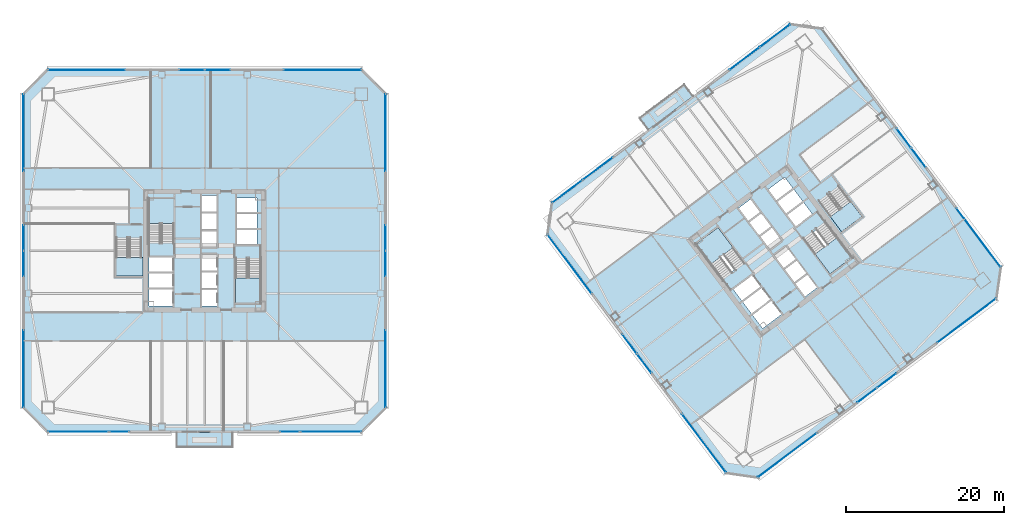
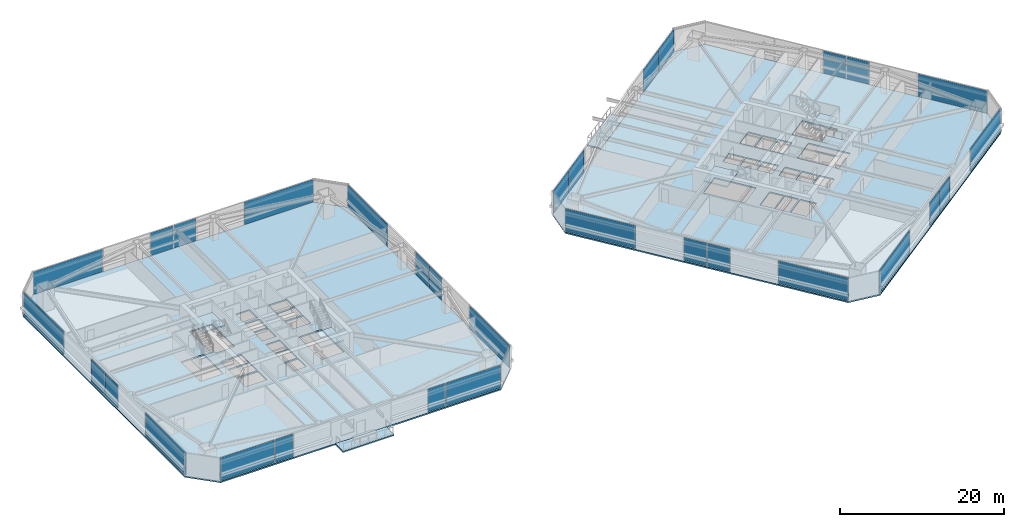
# One storey, part 31 of 45: 31 plates, 10 slabs, 29 elements without a shape of their own.
"""IFC4 building model written with IfcOpenShell, lengths in metres."""

from ifc_helpers import new_model, si_unit, direction, frame, origin, origin_2d, place, context, subcontext, project, spatial, polyline, rectangle, outline, extrude, material, layer, layer_set, type_object, element, aggregate, save


model = new_model("IFC4")

# Units and contexts
model_context = context("Model", 3, precision=1e-05, world=origin(), true_north=direction((0.0, 1.0)))
body_context = subcontext(model_context, "Body", "Model", "MODEL_VIEW")
ifc_project = project(units=[si_unit("LENGTHUNIT", "METRE"), si_unit("AREAUNIT", "SQUARE_METRE"), si_unit("VOLUMEUNIT", "CUBIC_METRE"), si_unit("PLANEANGLEUNIT", "RADIAN"), si_unit("MASSUNIT", "GRAM", prefix="KILO")], contexts=[model_context])

# Site, building, storey
site_placement = place(None, origin())
site = spatial("IfcSite", under=ifc_project, at=site_placement, CompositionType="ELEMENT")
building_placement = place(site_placement, origin())
building = spatial("IfcBuilding", under=site, at=building_placement, Name="Tashvorn Skyway Center", CompositionType="ELEMENT")
storey_placement = place(building_placement, frame((0.0, 0.0, 35.25)))
storey = spatial("IfcBuildingStorey", under=building, at=storey_placement, Name="L08", CompositionType="ELEMENT", Elevation=35.25)

# Curtain wall, plate
ifc_material_1 = material(Name="Thermally broken bronze-anodized aluminium 6063-T6", Category="aluminium")
curtain_wall_type = type_object("IfcCurtainWallType", Name="CW-CW-Z1", PredefinedType="NOTDEFINED", material=ifc_material_1)
curtain_wall_1_placement = place(storey_placement, origin())
curtain_wall_1 = element("IfcCurtainWall", 1, at=curtain_wall_1_placement, inside=storey, type_object=curtain_wall_type, Name="Tower 1 L08 South Curtain Wall L Glazing Group 1", PredefinedType="NOTDEFINED")
ifc_material_2 = material(Name="Low-E solar-control double insulating safety glass", Category="glass")
ifc_layer_1 = layer(ifc_material_2, 0.048095703125)
ifc_layer_set_1 = layer_set([ifc_layer_1], Name="Low-E solar-control double insulating safety glass")
plate_type = type_object("IfcPlateType", Name="CWP-CW-Z1", PredefinedType="CURTAIN_PANEL", material=ifc_layer_set_1)
plate_1_placement = place(storey_placement, frame((57.972412109375, 9.1201171875, 0.0849609375), z_axis=(0.0, 0.0, 1.0), x_axis=(-1.0, 0.0, 0.0)))
plate_1 = element("IfcPlate", 2, at=plate_1_placement, type_object=plate_type, Name="CW-Z1 panel 1.1", PredefinedType="CURTAIN_PANEL", context=body_context, shape_type="SweptSolid", body=[
    extrude(rectangle(XDim=7.64501953125, YDim=0.048095703125, at=origin_2d()), origin(), (0.0, 0.0, 1.0), 3.3798828125),
])
aggregate(curtain_wall_1, [plate_1])

curtain_wall_2_placement = place(storey_placement, origin())
curtain_wall_2 = element("IfcCurtainWall", 3, at=curtain_wall_2_placement, inside=storey, type_object=curtain_wall_type, Name="Tower 1 L08 South Curtain Wall L Glazing Group 2", PredefinedType="NOTDEFINED")
plate_2_placement = place(storey_placement, frame((52.762451171875, 9.1201171875, 0.0849609375), z_axis=(0.0, 0.0, 1.0), x_axis=(-1.0, 0.0, 0.0)))
plate_2 = element("IfcPlate", 4, at=plate_2_placement, type_object=plate_type, Name="CW-Z1 panel 1.1", PredefinedType="CURTAIN_PANEL", context=body_context, shape_type="SweptSolid", body=[
    extrude(rectangle(XDim=2.43505859375, YDim=0.048095703125, at=origin_2d()), origin(), (0.0, 0.0, 1.0), 3.3798828125),
])
aggregate(curtain_wall_2, [plate_2])

curtain_wall_3_placement = place(storey_placement, origin())
curtain_wall_3 = element("IfcCurtainWall", 5, at=curtain_wall_3_placement, inside=storey, type_object=curtain_wall_type, Name="Tower 1 L08 South Curtain Wall R Glazing Group 1", PredefinedType="NOTDEFINED")
plate_3_placement = place(storey_placement, frame((31.237548828125, 9.1201171875, 0.0849609375), z_axis=(0.0, 0.0, 1.0), x_axis=(-1.0, 0.0, 0.0)))
plate_3 = element("IfcPlate", 6, at=plate_3_placement, type_object=plate_type, Name="CW-Z1 panel 1.1", PredefinedType="CURTAIN_PANEL", context=body_context, shape_type="SweptSolid", body=[
    extrude(rectangle(XDim=2.43505859375, YDim=0.048095703125, at=origin_2d()), origin(), (0.0, 0.0, 1.0), 3.3798828125),
])
aggregate(curtain_wall_3, [plate_3])

curtain_wall_4_placement = place(storey_placement, origin())
curtain_wall_4 = element("IfcCurtainWall", 7, at=curtain_wall_4_placement, inside=storey, type_object=curtain_wall_type, Name="Tower 1 L08 South Curtain Wall R Glazing Group 2", PredefinedType="NOTDEFINED")
plate_4_placement = place(storey_placement, frame((26.027587890625, 9.1201171875, 0.0849609375), z_axis=(0.0, 0.0, 1.0), x_axis=(-1.0, 0.0, 0.0)))
plate_4 = element("IfcPlate", 8, at=plate_4_placement, type_object=plate_type, Name="CW-Z1 panel 1.1", PredefinedType="CURTAIN_PANEL", context=body_context, shape_type="SweptSolid", body=[
    extrude(rectangle(XDim=7.64501953125, YDim=0.048095703125, at=origin_2d()), origin(), (0.0, 0.0, 1.0), 3.3798828125),
])
aggregate(curtain_wall_4, [plate_4])

curtain_wall_5_placement = place(storey_placement, origin())
curtain_wall_5 = element("IfcCurtainWall", 9, at=curtain_wall_5_placement, inside=storey, type_object=curtain_wall_type, Name="Tower 1 L08 West Unitised Curtain Wall Glazing Group 1", PredefinedType="NOTDEFINED")
plate_5_placement = place(storey_placement, frame((19.1201171875, 17.090087890625, 0.0849609375), z_axis=(0.0, 0.0, 1.0), x_axis=(0.0, 1.0, 0.0)))
plate_5 = element("IfcPlate", 10, at=plate_5_placement, type_object=plate_type, Name="CW-Z1 panel 1.1", PredefinedType="CURTAIN_PANEL", context=body_context, shape_type="SweptSolid", body=[
    extrude(rectangle(XDim=9.77001953125, YDim=0.048095703125, at=origin_2d()), origin(), (0.0, 0.0, 1.0), 3.3798828125),
])
aggregate(curtain_wall_5, [plate_5])

# Curtain wall, plates
curtain_wall_6_placement = place(storey_placement, origin())
curtain_wall_6 = element("IfcCurtainWall", 11, at=curtain_wall_6_placement, inside=storey, type_object=curtain_wall_type, Name="Tower 1 L08 West Unitised Curtain Wall Glazing Group 2", PredefinedType="NOTDEFINED")
plate_6_placement = place(storey_placement, frame((19.1201171875, 30.364501953125, 0.0849609375), z_axis=(0.0, 0.0, 1.0), x_axis=(0.0, 1.0, 0.0)))
plate_6 = element("IfcPlate", 12, at=plate_6_placement, type_object=plate_type, Name="CW-Z1 panel 1.1", PredefinedType="CURTAIN_PANEL", context=body_context, shape_type="SweptSolid", body=[
    extrude(rectangle(XDim=3.185791015625, YDim=0.048095703125, at=origin_2d()), origin(), (0.0, 0.0, 1.0), 3.3798828125),
])
plate_7_placement = place(storey_placement, frame((19.1201171875, 33.635498046875, 0.0849609375), z_axis=(0.0, 0.0, 1.0), x_axis=(0.0, 1.0, 0.0)))
plate_7 = element("IfcPlate", 13, at=plate_7_placement, type_object=plate_type, Name="CW-Z1 panel 2.1", PredefinedType="CURTAIN_PANEL", context=body_context, shape_type="SweptSolid", body=[
    extrude(rectangle(XDim=3.185791015625, YDim=0.048095703125, at=origin_2d()), origin(), (0.0, 0.0, 1.0), 3.3798828125),
])
aggregate(curtain_wall_6, [plate_6, plate_7])

# Curtain wall, plate
curtain_wall_7_placement = place(storey_placement, origin())
curtain_wall_7 = element("IfcCurtainWall", 14, at=curtain_wall_7_placement, inside=storey, type_object=curtain_wall_type, Name="Tower 1 L08 West Unitised Curtain Wall Glazing Group 3", PredefinedType="NOTDEFINED")
plate_8_placement = place(storey_placement, frame((19.1201171875, 46.909912109375, 0.0849609375), z_axis=(0.0, 0.0, 1.0), x_axis=(0.0, 1.0, 0.0)))
plate_8 = element("IfcPlate", 15, at=plate_8_placement, type_object=plate_type, Name="CW-Z1 panel 1.1", PredefinedType="CURTAIN_PANEL", context=body_context, shape_type="SweptSolid", body=[
    extrude(rectangle(XDim=9.77001953125, YDim=0.048095703125, at=origin_2d()), origin(), (0.0, 0.0, 1.0), 3.3798828125),
])
aggregate(curtain_wall_7, [plate_8])

curtain_wall_8_placement = place(storey_placement, origin())
curtain_wall_8 = element("IfcCurtainWall", 16, at=curtain_wall_8_placement, inside=storey, type_object=curtain_wall_type, Name="Tower 1 L08 North Unitised Curtain Wall Glazing Group 1", PredefinedType="NOTDEFINED")
plate_9_placement = place(storey_placement, frame((27.090087890625, 54.8798828125, 0.0849609375), z_axis=(0.0, 0.0, 1.0), x_axis=(1.0, 0.0, 0.0)))
plate_9 = element("IfcPlate", 17, at=plate_9_placement, type_object=plate_type, Name="CW-Z1 panel 1.1", PredefinedType="CURTAIN_PANEL", context=body_context, shape_type="SweptSolid", body=[
    extrude(rectangle(XDim=9.77001953125, YDim=0.048095703125, at=origin_2d()), origin(), (0.0, 0.0, 1.0), 3.3798828125),
])
aggregate(curtain_wall_8, [plate_9])

# Curtain wall, plates
curtain_wall_9_placement = place(storey_placement, origin())
curtain_wall_9 = element("IfcCurtainWall", 18, at=curtain_wall_9_placement, inside=storey, type_object=curtain_wall_type, Name="Tower 1 L08 North Unitised Curtain Wall Glazing Group 2", PredefinedType="NOTDEFINED")
plate_10_placement = place(storey_placement, frame((40.364501953125, 54.8798828125, 0.0849609375), z_axis=(0.0, 0.0, 1.0), x_axis=(1.0, 0.0, 0.0)))
plate_10 = element("IfcPlate", 19, at=plate_10_placement, type_object=plate_type, Name="CW-Z1 panel 1.1", PredefinedType="CURTAIN_PANEL", context=body_context, shape_type="SweptSolid", body=[
    extrude(rectangle(XDim=3.185791015625, YDim=0.048095703125, at=origin_2d()), origin(), (0.0, 0.0, 1.0), 3.3798828125),
])
plate_11_placement = place(storey_placement, frame((43.635498046875, 54.8798828125, 0.0849609375), z_axis=(0.0, 0.0, 1.0), x_axis=(1.0, 0.0, 0.0)))
plate_11 = element("IfcPlate", 20, at=plate_11_placement, type_object=plate_type, Name="CW-Z1 panel 2.1", PredefinedType="CURTAIN_PANEL", context=body_context, shape_type="SweptSolid", body=[
    extrude(rectangle(XDim=3.185791015625, YDim=0.048095703125, at=origin_2d()), origin(), (0.0, 0.0, 1.0), 3.3798828125),
])
aggregate(curtain_wall_9, [plate_10, plate_11])

# Curtain wall, plate
curtain_wall_10_placement = place(storey_placement, origin())
curtain_wall_10 = element("IfcCurtainWall", 21, at=curtain_wall_10_placement, inside=storey, type_object=curtain_wall_type, Name="Tower 1 L08 North Unitised Curtain Wall Glazing Group 3", PredefinedType="NOTDEFINED")
plate_12_placement = place(storey_placement, frame((56.909912109375, 54.8798828125, 0.0849609375), z_axis=(0.0, 0.0, 1.0), x_axis=(1.0, 0.0, 0.0)))
plate_12 = element("IfcPlate", 22, at=plate_12_placement, type_object=plate_type, Name="CW-Z1 panel 1.1", PredefinedType="CURTAIN_PANEL", context=body_context, shape_type="SweptSolid", body=[
    extrude(rectangle(XDim=9.77001953125, YDim=0.048095703125, at=origin_2d()), origin(), (0.0, 0.0, 1.0), 3.3798828125),
])
aggregate(curtain_wall_10, [plate_12])

curtain_wall_11_placement = place(storey_placement, origin())
curtain_wall_11 = element("IfcCurtainWall", 23, at=curtain_wall_11_placement, inside=storey, type_object=curtain_wall_type, Name="Tower 1 L08 East Unitised Curtain Wall Glazing Group 1", PredefinedType="NOTDEFINED")
plate_13_placement = place(storey_placement, frame((64.8798828125, 46.909912109375, 0.0849609375), z_axis=(0.0, 0.0, 1.0), x_axis=(0.0, -1.0, 0.0)))
plate_13 = element("IfcPlate", 24, at=plate_13_placement, type_object=plate_type, Name="CW-Z1 panel 1.1", PredefinedType="CURTAIN_PANEL", context=body_context, shape_type="SweptSolid", body=[
    extrude(rectangle(XDim=9.77001953125, YDim=0.048095703125, at=origin_2d()), origin(), (0.0, 0.0, 1.0), 3.3798828125),
])
aggregate(curtain_wall_11, [plate_13])

# Curtain wall, plates
curtain_wall_12_placement = place(storey_placement, origin())
curtain_wall_12 = element("IfcCurtainWall", 25, at=curtain_wall_12_placement, inside=storey, type_object=curtain_wall_type, Name="Tower 1 L08 East Unitised Curtain Wall Glazing Group 2", PredefinedType="NOTDEFINED")
plate_14_placement = place(storey_placement, frame((64.8798828125, 33.635498046875, 0.0849609375), z_axis=(0.0, 0.0, 1.0), x_axis=(0.0, -1.0, 0.0)))
plate_14 = element("IfcPlate", 26, at=plate_14_placement, type_object=plate_type, Name="CW-Z1 panel 1.1", PredefinedType="CURTAIN_PANEL", context=body_context, shape_type="SweptSolid", body=[
    extrude(rectangle(XDim=3.185791015625, YDim=0.048095703125, at=origin_2d()), origin(), (0.0, 0.0, 1.0), 3.3798828125),
])
plate_15_placement = place(storey_placement, frame((64.8798828125, 30.364501953125, 0.0849609375), z_axis=(0.0, 0.0, 1.0), x_axis=(0.0, -1.0, 0.0)))
plate_15 = element("IfcPlate", 27, at=plate_15_placement, type_object=plate_type, Name="CW-Z1 panel 2.1", PredefinedType="CURTAIN_PANEL", context=body_context, shape_type="SweptSolid", body=[
    extrude(rectangle(XDim=3.185791015625, YDim=0.048095703125, at=origin_2d()), origin(), (0.0, 0.0, 1.0), 3.3798828125),
])
aggregate(curtain_wall_12, [plate_14, plate_15])

# Curtain wall, plate
curtain_wall_13_placement = place(storey_placement, origin())
curtain_wall_13 = element("IfcCurtainWall", 28, at=curtain_wall_13_placement, inside=storey, type_object=curtain_wall_type, Name="Tower 1 L08 East Unitised Curtain Wall Glazing Group 3", PredefinedType="NOTDEFINED")
plate_16_placement = place(storey_placement, frame((64.8798828125, 17.090087890625, 0.0849609375), z_axis=(0.0, 0.0, 1.0), x_axis=(0.0, -1.0, 0.0)))
plate_16 = element("IfcPlate", 29, at=plate_16_placement, type_object=plate_type, Name="CW-Z1 panel 1.1", PredefinedType="CURTAIN_PANEL", context=body_context, shape_type="SweptSolid", body=[
    extrude(rectangle(XDim=9.77001953125, YDim=0.048095703125, at=origin_2d()), origin(), (0.0, 0.0, 1.0), 3.3798828125),
])
aggregate(curtain_wall_13, [plate_16])

curtain_wall_14_placement = place(storey_placement, origin())
curtain_wall_14 = element("IfcCurtainWall", 30, at=curtain_wall_14_placement, inside=storey, type_object=curtain_wall_type, Name="Tower 2 L08 South Unitised Curtain Wall Glazing Group 1", PredefinedType="NOTDEFINED")
plate_17_placement = place(storey_placement, frame((138.3359375, 23.152099609375, 0.0849609375), z_axis=(0.0, 0.0, 1.0), x_axis=(-0.799999999998, -0.600000000002, 0.0)))
plate_17 = element("IfcPlate", 31, at=plate_17_placement, type_object=plate_type, Name="CW-Z1 panel 1.1", PredefinedType="CURTAIN_PANEL", context=body_context, shape_type="SweptSolid", body=[
    extrude(rectangle(XDim=9.27001953125, YDim=0.048095703125, at=origin_2d()), origin(), (0.0, 0.0, 1.0), 3.3798828125),
])
aggregate(curtain_wall_14, [plate_17])

# Curtain wall, plates
curtain_wall_15_placement = place(storey_placement, origin())
curtain_wall_15 = element("IfcCurtainWall", 32, at=curtain_wall_15_placement, inside=storey, type_object=curtain_wall_type, Name="Tower 2 L08 South Unitised Curtain Wall Glazing Group 2", PredefinedType="NOTDEFINED")
plate_18_placement = place(storey_placement, frame((128.249755859375, 15.587158203125, 0.0849609375), z_axis=(0.0, 0.0, 1.0), x_axis=(-0.799996186392, -0.600005084776, 0.0)))
plate_18 = element("IfcPlate", 33, at=plate_18_placement, type_object=plate_type, Name="CW-Z1 panel 1.1", PredefinedType="CURTAIN_PANEL", context=body_context, shape_type="SweptSolid", body=[
    extrude(rectangle(XDim=3.01904296875, YDim=0.048095703125, at=origin_2d()), origin(), (0.0, 0.0, 1.0), 3.3798828125),
])
plate_19_placement = place(storey_placement, frame((125.766357421875, 13.724853515625, 0.0849609375), z_axis=(0.0, 0.0, 1.0), x_axis=(-0.799996186392, -0.600005084776, 0.0)))
plate_19 = element("IfcPlate", 34, at=plate_19_placement, type_object=plate_type, Name="CW-Z1 panel 2.1", PredefinedType="CURTAIN_PANEL", context=body_context, shape_type="SweptSolid", body=[
    extrude(rectangle(XDim=3.01904296875, YDim=0.048095703125, at=origin_2d()), origin(), (0.0, 0.0, 1.0), 3.3798828125),
])
aggregate(curtain_wall_15, [plate_18, plate_19])

# Curtain wall, plate
curtain_wall_16_placement = place(storey_placement, origin())
curtain_wall_16 = element("IfcCurtainWall", 35, at=curtain_wall_16_placement, inside=storey, type_object=curtain_wall_type, Name="Tower 2 L08 South Unitised Curtain Wall Glazing Group 3", PredefinedType="NOTDEFINED")
plate_20_placement = place(storey_placement, frame((115.679931640625, 6.159912109375, 0.0849609375), z_axis=(0.0, 0.0, 1.0), x_axis=(-0.799999999998, -0.600000000002, 0.0)))
plate_20 = element("IfcPlate", 36, at=plate_20_placement, type_object=plate_type, Name="CW-Z1 panel 1.1", PredefinedType="CURTAIN_PANEL", context=body_context, shape_type="SweptSolid", body=[
    extrude(rectangle(XDim=9.27001953125, YDim=0.048095703125, at=origin_2d()), origin(), (0.0, 0.0, 1.0), 3.3798828125),
])
aggregate(curtain_wall_16, [plate_20])

curtain_wall_17_placement = place(storey_placement, origin())
curtain_wall_17 = element("IfcCurtainWall", 37, at=curtain_wall_17_placement, inside=storey, type_object=curtain_wall_type, Name="Tower 2 L08 West Unitised Curtain Wall Glazing Group 1", PredefinedType="NOTDEFINED")
plate_21_placement = place(storey_placement, frame((105.152099609375, 7.6640625, 0.0849609375), z_axis=(0.0, 0.0, 1.0), x_axis=(-0.600000000002, 0.799999999998, 0.0)))
plate_21 = element("IfcPlate", 38, at=plate_21_placement, type_object=plate_type, Name="CW-Z1 panel 1.1", PredefinedType="CURTAIN_PANEL", context=body_context, shape_type="SweptSolid", body=[
    extrude(rectangle(XDim=9.27001953125, YDim=0.048095703125, at=origin_2d()), origin(), (0.0, 0.0, 1.0), 3.3798828125),
])
aggregate(curtain_wall_17, [plate_21])

# Curtain wall, plates
curtain_wall_18_placement = place(storey_placement, origin())
curtain_wall_18 = element("IfcCurtainWall", 39, at=curtain_wall_18_placement, inside=storey, type_object=curtain_wall_type, Name="Tower 2 L08 West Unitised Curtain Wall Glazing Group 2", PredefinedType="NOTDEFINED")
plate_22_placement = place(storey_placement, frame((97.587158203125, 17.750244140625, 0.0849609375), z_axis=(0.0, 0.0, 1.0), x_axis=(-0.600005084776, 0.799996186392, 0.0)))
plate_22 = element("IfcPlate", 40, at=plate_22_placement, type_object=plate_type, Name="CW-Z1 panel 1.1", PredefinedType="CURTAIN_PANEL", context=body_context, shape_type="SweptSolid", body=[
    extrude(rectangle(XDim=3.01904296875, YDim=0.048095703125, at=origin_2d()), origin(), (0.0, 0.0, 1.0), 3.3798828125),
])
plate_23_placement = place(storey_placement, frame((95.724853515625, 20.233642578125, 0.0849609375), z_axis=(0.0, 0.0, 1.0), x_axis=(-0.600005084776, 0.799996186392, 0.0)))
plate_23 = element("IfcPlate", 41, at=plate_23_placement, type_object=plate_type, Name="CW-Z1 panel 2.1", PredefinedType="CURTAIN_PANEL", context=body_context, shape_type="SweptSolid", body=[
    extrude(rectangle(XDim=3.01904296875, YDim=0.048095703125, at=origin_2d()), origin(), (0.0, 0.0, 1.0), 3.3798828125),
])
aggregate(curtain_wall_18, [plate_22, plate_23])

# Curtain wall, plate
curtain_wall_19_placement = place(storey_placement, origin())
curtain_wall_19 = element("IfcCurtainWall", 42, at=curtain_wall_19_placement, inside=storey, type_object=curtain_wall_type, Name="Tower 2 L08 West Unitised Curtain Wall Glazing Group 3", PredefinedType="NOTDEFINED")
plate_24_placement = place(storey_placement, frame((88.159912109375, 30.320068359375, 0.0849609375), z_axis=(0.0, 0.0, 1.0), x_axis=(-0.600000000002, 0.799999999998, 0.0)))
plate_24 = element("IfcPlate", 43, at=plate_24_placement, type_object=plate_type, Name="CW-Z1 panel 1.1", PredefinedType="CURTAIN_PANEL", context=body_context, shape_type="SweptSolid", body=[
    extrude(rectangle(XDim=9.27001953125, YDim=0.048095703125, at=origin_2d()), origin(), (0.0, 0.0, 1.0), 3.3798828125),
])
aggregate(curtain_wall_19, [plate_24])

# Curtain wall, plates
curtain_wall_20_placement = place(storey_placement, origin())
curtain_wall_20 = element("IfcCurtainWall", 44, at=curtain_wall_20_placement, inside=storey, type_object=curtain_wall_type, Name="Tower 2 L08 North Curtain Wall L Glazing Group 1", PredefinedType="NOTDEFINED")
plate_25_placement = place(storey_placement, frame((87.855712890625, 39.49169921875, 0.0849609375), z_axis=(0.0, 0.0, 1.0), x_axis=(0.800001230339, 0.599998359545, 0.0)))
plate_25 = element("IfcPlate", 45, at=plate_25_placement, type_object=plate_type, Name="CW-Z1 panel 1.1", PredefinedType="CURTAIN_PANEL", context=body_context, shape_type="SweptSolid", body=[
    extrude(rectangle(XDim=4.749267578125, YDim=0.048095703125, at=origin_2d()), origin(), (0.0, 0.0, 1.0), 3.3798828125),
])
plate_26_placement = place(storey_placement, frame((91.72314453125, 42.392333984375, 0.0849609375), z_axis=(0.0, 0.0, 1.0), x_axis=(0.800001230339, 0.599998359545, 0.0)))
plate_26 = element("IfcPlate", 46, at=plate_26_placement, type_object=plate_type, Name="CW-Z1 panel 2.1", PredefinedType="CURTAIN_PANEL", context=body_context, shape_type="SweptSolid", body=[
    extrude(rectangle(XDim=4.749267578125, YDim=0.048095703125, at=origin_2d()), origin(), (0.0, 0.0, 1.0), 3.3798828125),
])
aggregate(curtain_wall_20, [plate_25, plate_26])

curtain_wall_21_placement = place(storey_placement, origin())
curtain_wall_21 = element("IfcCurtainWall", 47, at=curtain_wall_21_placement, inside=storey, type_object=curtain_wall_type, Name="Tower 2 L08 North Curtain Wall R Glazing Group 1", PredefinedType="NOTDEFINED")
plate_27_placement = place(storey_placement, frame((110.260986328125, 56.295654296875, 0.0849609375), z_axis=(0.0, 0.0, 1.0), x_axis=(0.800001230339, 0.599998359545, 0.0)))
plate_27 = element("IfcPlate", 48, at=plate_27_placement, type_object=plate_type, Name="CW-Z1 panel 1.1", PredefinedType="CURTAIN_PANEL", context=body_context, shape_type="SweptSolid", body=[
    extrude(rectangle(XDim=4.749267578125, YDim=0.048095703125, at=origin_2d()), origin(), (0.0, 0.0, 1.0), 3.3798828125),
])
plate_28_placement = place(storey_placement, frame((114.12841796875, 59.1962890625, 0.0849609375), z_axis=(0.0, 0.0, 1.0), x_axis=(0.800001230339, 0.599998359545, 0.0)))
plate_28 = element("IfcPlate", 49, at=plate_28_placement, type_object=plate_type, Name="CW-Z1 panel 2.1", PredefinedType="CURTAIN_PANEL", context=body_context, shape_type="SweptSolid", body=[
    extrude(rectangle(XDim=4.749267578125, YDim=0.048095703125, at=origin_2d()), origin(), (0.0, 0.0, 1.0), 3.3798828125),
])
aggregate(curtain_wall_21, [plate_27, plate_28])

curtain_wall_22_placement = place(storey_placement, origin())
curtain_wall_22 = element("IfcCurtainWall", 50, at=curtain_wall_22_placement, inside=storey, type_object=curtain_wall_type, Name="Tower 2 L08 East Unitised Curtain Wall Glazing Group 2", PredefinedType="NOTDEFINED")
plate_29_placement = place(storey_placement, frame((130.412841796875, 46.249755859375, 0.0849609375), z_axis=(0.0, 0.0, 1.0), x_axis=(0.600005084776, -0.799996186392, 0.0)))
plate_29 = element("IfcPlate", 51, at=plate_29_placement, type_object=plate_type, Name="CW-Z1 panel 1.1", PredefinedType="CURTAIN_PANEL", context=body_context, shape_type="SweptSolid", body=[
    extrude(rectangle(XDim=3.01904296875, YDim=0.048095703125, at=origin_2d()), origin(), (0.0, 0.0, 1.0), 3.3798828125),
])
plate_30_placement = place(storey_placement, frame((132.275146484375, 43.766357421875, 0.0849609375), z_axis=(0.0, 0.0, 1.0), x_axis=(0.600005084776, -0.799996186392, 0.0)))
plate_30 = element("IfcPlate", 52, at=plate_30_placement, type_object=plate_type, Name="CW-Z1 panel 2.1", PredefinedType="CURTAIN_PANEL", context=body_context, shape_type="SweptSolid", body=[
    extrude(rectangle(XDim=3.01904296875, YDim=0.048095703125, at=origin_2d()), origin(), (0.0, 0.0, 1.0), 3.3798828125),
])
aggregate(curtain_wall_22, [plate_29, plate_30])

# Curtain wall, plate
curtain_wall_23_placement = place(storey_placement, origin())
curtain_wall_23 = element("IfcCurtainWall", 53, at=curtain_wall_23_placement, inside=storey, type_object=curtain_wall_type, Name="Tower 2 L08 East Unitised Curtain Wall Glazing Group 3", PredefinedType="NOTDEFINED")
plate_31_placement = place(storey_placement, frame((139.840087890625, 33.679931640625, 0.0849609375), z_axis=(0.0, 0.0, 1.0), x_axis=(0.600000000002, -0.799999999998, 0.0)))
plate_31 = element("IfcPlate", 54, at=plate_31_placement, type_object=plate_type, Name="CW-Z1 panel 1.1", PredefinedType="CURTAIN_PANEL", context=body_context, shape_type="SweptSolid", body=[
    extrude(rectangle(XDim=9.27001953125, YDim=0.048095703125, at=origin_2d()), origin(), (0.0, 0.0, 1.0), 3.3798828125),
])
aggregate(curtain_wall_23, [plate_31])

# Slabs
ifc_material_3 = material(Name="Concrete C40/50", Category="concrete")
ifc_layer_2 = layer(ifc_material_3, 0.199951171875)
ifc_layer_set_2 = layer_set([ifc_layer_2], Name="Concrete C40/50")
slab_type_1 = type_object("IfcSlabType", Name="SLAB-FLR-200", PredefinedType="FLOOR", material=ifc_layer_set_2)
slab_1_placement = place(storey_placement, frame((0.0, 0.0, -0.199951171875)))
element("IfcSlab", 55, at=slab_1_placement, inside=storey, type_object=slab_type_1, Name="Tower 1 L08 Composite Floor Slab", PredefinedType="FLOOR", context=body_context, shape_type="SweptSolid", body=[
    extrude(outline(polyline([(22.199951171875, 9.0), (61.800048828125, 9.0), (65.0, 12.199951171875), (65.0, 51.800048828125), (61.800048828125, 55.0), (22.199951171875, 55.0), (19.0, 51.800048828125), (19.0, 12.199951171875), (22.199951171875, 9.0)]), holes=[polyline([(38.10009765625, 33.080078125), (38.10009765625, 38.60009765625), (34.89990234375, 38.60009765625), (34.89990234375, 33.080078125), (38.10009765625, 33.080078125)]), polyline([(45.89990234375, 30.919921875), (45.89990234375, 25.39990234375), (49.10009765625, 25.39990234375), (49.10009765625, 30.919921875), (45.89990234375, 30.919921875)]), polyline([(30.800048828125, 33.52001953125), (30.800048828125, 28.800048828125), (34.0, 28.800048828125), (34.0, 33.52001953125), (30.800048828125, 33.52001953125)]), polyline([(34.949951171875, 29.35009765625), (37.949951171875, 29.35009765625), (37.949951171875, 31.199951171875), (34.949951171875, 31.199951171875), (34.949951171875, 29.35009765625)]), polyline([(34.949951171875, 27.35009765625), (37.949951171875, 27.35009765625), (37.949951171875, 29.199951171875), (34.949951171875, 29.199951171875), (34.949951171875, 27.35009765625)]), polyline([(34.949951171875, 25.0), (37.949951171875, 25.0), (37.949951171875, 27.14990234375), (34.949951171875, 27.14990234375), (34.949951171875, 25.0)]), polyline([(41.64990234375, 25.0), (43.550048828125, 25.0), (43.550048828125, 27.050048828125), (41.64990234375, 27.050048828125), (41.64990234375, 25.0)]), polyline([(41.64990234375, 27.25), (43.550048828125, 27.25), (43.550048828125, 29.300048828125), (41.64990234375, 29.300048828125), (41.64990234375, 27.25)]), polyline([(41.64990234375, 29.5), (43.550048828125, 29.5), (43.550048828125, 31.550048828125), (41.64990234375, 31.550048828125), (41.64990234375, 29.5)]), polyline([(41.64990234375, 32.449951171875), (43.550048828125, 32.449951171875), (43.550048828125, 34.5), (41.64990234375, 34.5), (41.64990234375, 32.449951171875)]), polyline([(41.64990234375, 34.699951171875), (43.550048828125, 34.699951171875), (43.550048828125, 36.75), (41.64990234375, 36.75), (41.64990234375, 34.699951171875)]), polyline([(41.64990234375, 36.949951171875), (43.550048828125, 36.949951171875), (43.550048828125, 39.0), (41.64990234375, 39.0), (41.64990234375, 36.949951171875)]), polyline([(46.050048828125, 32.800048828125), (48.64990234375, 32.800048828125), (48.64990234375, 34.64990234375), (46.050048828125, 34.64990234375), (46.050048828125, 32.800048828125)]), polyline([(46.050048828125, 34.85009765625), (48.64990234375, 34.85009765625), (48.64990234375, 36.699951171875), (46.050048828125, 36.699951171875), (46.050048828125, 34.85009765625)]), polyline([(46.050048828125, 36.89990234375), (48.64990234375, 36.89990234375), (48.64990234375, 38.64990234375), (46.050048828125, 38.64990234375), (46.050048828125, 36.89990234375)])]), origin(), (0.0, 0.0, 1.0), 0.199951171875),
])
slab_2_placement = place(storey_placement, frame((0.0, 0.0, -0.199951171875)))
element("IfcSlab", 56, at=slab_2_placement, inside=storey, type_object=slab_type_1, Name="Tower 2 L08 Composite Floor Slab", PredefinedType="FLOOR", context=body_context, shape_type="SweptSolid", body=[
    extrude(outline(polyline([(112.0400390625, 3.280029296875), (142.1201171875, 25.840087890625), (142.719970703125, 30.0400390625), (120.159912109375, 60.1201171875), (115.9599609375, 60.719970703125), (85.8798828125, 38.159912109375), (85.280029296875, 33.9599609375), (107.840087890625, 3.8798828125), (112.0400390625, 3.280029296875)]), holes=[polyline([(110.23193359375, 30.52392578125), (106.919921875, 34.93994140625), (104.135986328125, 32.85205078125), (107.447998046875, 28.43603515625), (110.23193359375, 30.52392578125)]), polyline([(117.76806640625, 33.47607421875), (121.080078125, 29.06005859375), (123.864013671875, 31.14794921875), (120.552001953125, 35.56396484375), (117.76806640625, 33.47607421875)]), polyline([(119.7119140625, 38.18408203125), (122.5439453125, 34.407958984375), (125.10400390625, 36.327880859375), (122.27197265625, 40.10400390625), (119.7119140625, 38.18408203125)]), polyline([(109.949951171875, 25.64990234375), (112.35009765625, 27.449951171875), (111.239990234375, 28.929931640625), (108.840087890625, 27.1298828125), (109.949951171875, 25.64990234375)]), polyline([(111.14990234375, 24.050048828125), (113.550048828125, 25.85009765625), (112.43994140625, 27.330078125), (110.0400390625, 25.530029296875), (111.14990234375, 24.050048828125)]), polyline([(112.56005859375, 22.169921875), (114.9599609375, 23.969970703125), (113.669921875, 25.68994140625), (111.27001953125, 23.889892578125), (112.56005859375, 22.169921875)]), polyline([(117.919921875, 26.18994140625), (119.43994140625, 27.330078125), (118.2099609375, 28.969970703125), (116.68994140625, 27.830078125), (117.919921875, 26.18994140625)]), polyline([(116.570068359375, 27.989990234375), (118.090087890625, 29.1298828125), (116.860107421875, 30.77001953125), (115.340087890625, 29.6298828125), (116.570068359375, 27.989990234375)]), polyline([(115.219970703125, 29.7900390625), (116.739990234375, 30.929931640625), (115.510009765625, 32.570068359375), (113.989990234375, 31.429931640625), (115.219970703125, 29.7900390625)]), polyline([(113.449951171875, 32.14990234375), (114.969970703125, 33.2900390625), (113.739990234375, 34.929931640625), (112.219970703125, 33.7900390625), (113.449951171875, 32.14990234375)]), polyline([(112.10009765625, 33.949951171875), (113.6201171875, 35.090087890625), (112.389892578125, 36.72998046875), (110.8701171875, 35.590087890625), (112.10009765625, 33.949951171875)]), polyline([(110.75, 35.75), (112.27001953125, 36.889892578125), (111.0400390625, 38.530029296875), (109.52001953125, 37.389892578125), (110.75, 35.75)]), polyline([(116.760009765625, 35.070068359375), (118.840087890625, 36.6298828125), (117.72998046875, 38.110107421875), (115.64990234375, 36.550048828125), (116.760009765625, 35.070068359375)]), polyline([(115.530029296875, 36.7099609375), (117.610107421875, 38.27001953125), (116.5, 39.75), (114.419921875, 38.18994140625), (115.530029296875, 36.7099609375)]), polyline([(114.300048828125, 38.35009765625), (116.3798828125, 39.909912109375), (115.330078125, 41.31005859375), (113.25, 39.75), (114.300048828125, 38.35009765625)])]), origin(), (0.0, 0.0, 1.0), 0.199951171875),
])

# Stair, slab
stair_type = type_object("IfcStairType", Name="STAIR-CORE-1500", PredefinedType="HALF_TURN_STAIR", material=ifc_material_3)
stair_1_placement = place(storey_placement, origin())
stair_1 = element("IfcStair", 57, at=stair_1_placement, inside=storey, type_object=stair_type, Name="L08 Tower 1 Exit Stair 1", PredefinedType="HALF_TURN_STAIR")
ifc_layer_3 = layer(ifc_material_3, 0.199951171875)
ifc_layer_set_3 = layer_set([ifc_layer_3], Name="Concrete C40/50")
slab_type_2 = type_object("IfcSlabType", Name="SLAB-LAND-200", PredefinedType="LANDING", material=ifc_layer_set_3)
slab_3_placement = place(storey_placement, frame((0.0, 0.0, 1.574951171875)))
slab_3 = element("IfcSlab", 58, at=slab_3_placement, type_object=slab_type_2, Name="ST-T1-1 landing 1", PredefinedType="LANDING", context=body_context, shape_type="SweptSolid", body=[
    extrude(outline(polyline([(38.10009765625, 35.43994140625), (38.10009765625, 38.60009765625), (34.89990234375, 38.60009765625), (34.89990234375, 35.43994140625), (38.10009765625, 35.43994140625)])), origin(), (0.0, 0.0, 1.0), 0.199951171875),
])
aggregate(stair_1, [slab_3])

stair_2_placement = place(storey_placement, origin())
stair_2 = element("IfcStair", 59, at=stair_2_placement, inside=storey, type_object=stair_type, Name="L08 Tower 1 Exit Stair 2", PredefinedType="HALF_TURN_STAIR")
slab_4_placement = place(storey_placement, frame((0.0, 0.0, 1.574951171875)))
slab_4 = element("IfcSlab", 60, at=slab_4_placement, type_object=slab_type_2, Name="ST-T1-2 landing 1", PredefinedType="LANDING", context=body_context, shape_type="SweptSolid", body=[
    extrude(outline(polyline([(45.89990234375, 28.56005859375), (45.89990234375, 25.39990234375), (49.10009765625, 25.39990234375), (49.10009765625, 28.56005859375), (45.89990234375, 28.56005859375)])), origin(), (0.0, 0.0, 1.0), 0.199951171875),
])
aggregate(stair_2, [slab_4])

stair_3_placement = place(storey_placement, origin())
stair_3 = element("IfcStair", 61, at=stair_3_placement, inside=storey, type_object=stair_type, Name="L08 Tower 2 Exit Stair 1", PredefinedType="HALF_TURN_STAIR")
slab_5_placement = place(storey_placement, frame((0.0, 0.0, 1.574951171875)))
slab_5 = element("IfcSlab", 62, at=slab_5_placement, type_object=slab_type_2, Name="ST-T2-1 landing 1", PredefinedType="LANDING", context=body_context, shape_type="SweptSolid", body=[
    extrude(outline(polyline([(108.82080078125, 32.405517578125), (106.919921875, 34.93994140625), (104.135986328125, 32.85205078125), (106.036865234375, 30.317626953125), (108.82080078125, 32.405517578125)])), origin(), (0.0, 0.0, 1.0), 0.199951171875),
])
aggregate(stair_3, [slab_5])

stair_4_placement = place(storey_placement, origin())
stair_4 = element("IfcStair", 63, at=stair_4_placement, inside=storey, type_object=stair_type, Name="L08 Tower 2 Exit Stair 2", PredefinedType="HALF_TURN_STAIR")
slab_6_placement = place(storey_placement, frame((0.0, 0.0, 1.574951171875)))
slab_6 = element("IfcSlab", 64, at=slab_6_placement, type_object=slab_type_2, Name="ST-T2-2 landing 1", PredefinedType="LANDING", context=body_context, shape_type="SweptSolid", body=[
    extrude(outline(polyline([(119.17919921875, 31.594482421875), (121.080078125, 29.06005859375), (123.864013671875, 31.14794921875), (121.963134765625, 33.682373046875), (119.17919921875, 31.594482421875)])), origin(), (0.0, 0.0, 1.0), 0.199951171875),
])
aggregate(stair_4, [slab_6])

stair_5_placement = place(storey_placement, origin())
stair_5 = element("IfcStair", 65, at=stair_5_placement, inside=storey, type_object=stair_type, Name="L08 Tower 1 Exit Stair 3", PredefinedType="HALF_TURN_STAIR")
slab_7_placement = place(storey_placement, frame((0.0, 0.0, 1.574951171875)))
slab_7 = element("IfcSlab", 66, at=slab_7_placement, type_object=slab_type_2, Name="ST-T1-3 landing 1", PredefinedType="LANDING", context=body_context, shape_type="SweptSolid", body=[
    extrude(outline(polyline([(30.800048828125, 31.159912109375), (30.800048828125, 28.800048828125), (34.199951171875, 28.800048828125), (34.199951171875, 31.159912109375), (30.800048828125, 31.159912109375)])), origin(), (0.0, 0.0, 1.0), 0.199951171875),
])
aggregate(stair_5, [slab_7])

stair_6_placement = place(storey_placement, origin())
stair_6 = element("IfcStair", 67, at=stair_6_placement, inside=storey, type_object=stair_type, Name="L08 Tower 2 Exit Stair 3", PredefinedType="HALF_TURN_STAIR")
slab_8_placement = place(storey_placement, frame((0.0, 0.0, 1.574951171875)))
slab_8 = element("IfcSlab", 68, at=slab_8_placement, type_object=slab_type_2, Name="ST-T2-3 landing 1", PredefinedType="LANDING", context=body_context, shape_type="SweptSolid", body=[
    extrude(outline(polyline([(121.123291015625, 36.302490234375), (122.5439453125, 34.407958984375), (125.10400390625, 36.327880859375), (123.68310546875, 38.222412109375), (121.123291015625, 36.302490234375)])), origin(), (0.0, 0.0, 1.0), 0.199951171875),
])
aggregate(stair_6, [slab_8])

# Slabs
ifc_layer_4 = layer(ifc_material_3, 0.179931640625)
ifc_layer_set_4 = layer_set([ifc_layer_4], Name="Concrete C40/50")
slab_type_3 = type_object("IfcSlabType", Name="SLAB-TERR-200", PredefinedType="FLOOR", material=ifc_layer_set_4)
slab_9_placement = place(storey_placement, frame((0.0, 0.0, -0.199951171875)))
element("IfcSlab", 69, at=slab_9_placement, inside=storey, type_object=slab_type_3, Name="Tower 1 L08 Spiral Planted Terrace Slab", PredefinedType="FLOOR", context=body_context, shape_type="SweptSolid", body=[
    extrude(outline(polyline([(38.39990234375, 7.10009765625), (45.60009765625, 7.10009765625), (45.60009765625, 9.010009765625), (38.39990234375, 9.010009765625), (38.39990234375, 7.10009765625)])), origin(), (0.0, 0.0, 1.0), 0.199951171875),
])
slab_10_placement = place(storey_placement, frame((0.0, 0.0, -0.199951171875)))
element("IfcSlab", 70, at=slab_10_placement, inside=storey, type_object=slab_type_3, Name="Tower 2 L08 Spiral Planted Terrace Slab", PredefinedType="FLOOR", context=body_context, shape_type="SweptSolid", body=[
    extrude(outline(polyline([(98.0458984375, 47.27197265625), (103.805908203125, 51.592041015625), (102.659912109375, 53.1201171875), (96.89990234375, 48.800048828125), (98.0458984375, 47.27197265625)])), origin(), (0.0, 0.0, 1.0), 0.199951171875),
])

save(model, "model.ifc")
